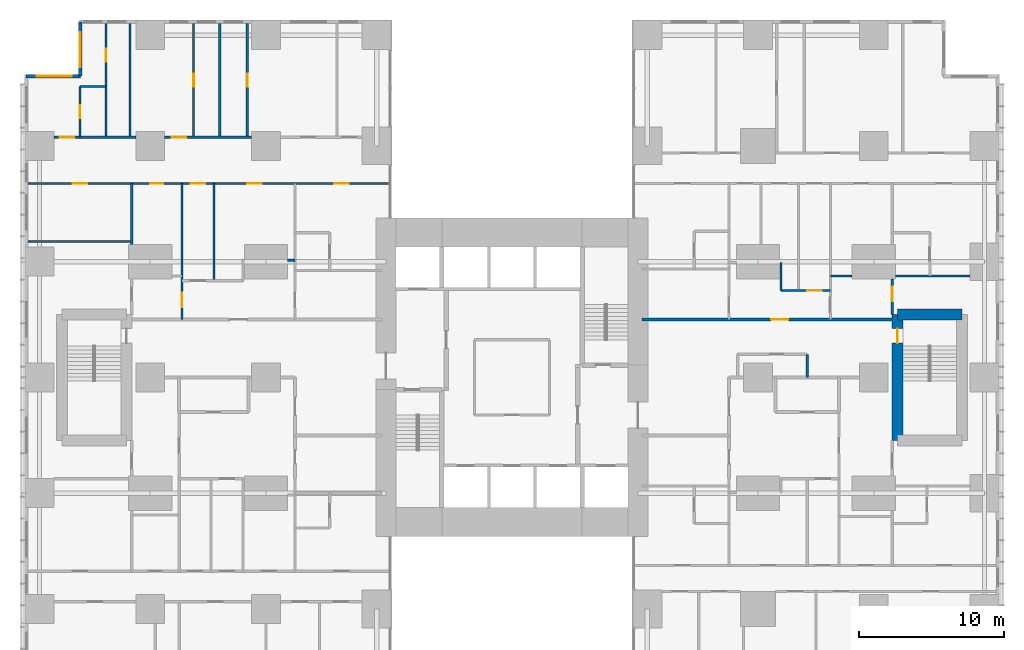
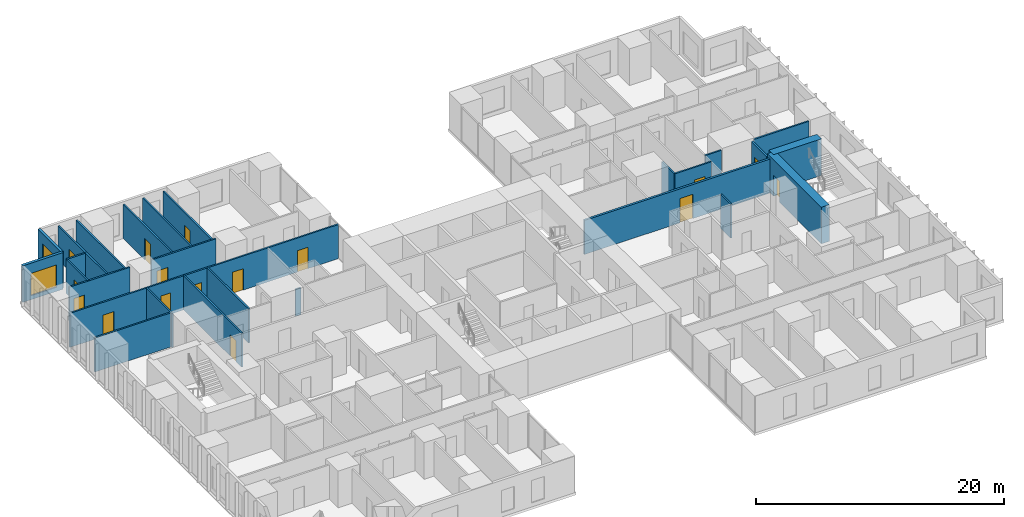
# One storey, part 16 of 20: 26 walls, 16 doors, 2 windows, 18 openings.
"""IFC4 building model written with IfcOpenShell, lengths in metres."""

from ifc_helpers import new_model, si_unit, direction, frame, frame_2d, origin, place, context, subcontext, project, spatial, rectangle, extrude, material, layer, layer_set, type_object, element, fill, save


model = new_model("IFC4")

# Units and contexts
model_context = context("Model", 3, precision=1e-05, world=origin(), true_north=direction((0.0, 1.0)))
body_context = subcontext(model_context, "Body", "Model", "MODEL_VIEW")
ifc_project = project(units=[si_unit("LENGTHUNIT", "METRE"), si_unit("AREAUNIT", "SQUARE_METRE"), si_unit("VOLUMEUNIT", "CUBIC_METRE"), si_unit("PLANEANGLEUNIT", "RADIAN"), si_unit("MASSUNIT", "GRAM", prefix="KILO")], contexts=[model_context])

# Site, building, storey
site_placement = place(None, origin())
site = spatial("IfcSite", under=ifc_project, at=site_placement, CompositionType="ELEMENT")
building_placement = place(site_placement, origin())
building = spatial("IfcBuilding", under=site, at=building_placement, Name="Cleftline Residences", CompositionType="ELEMENT")
storey_placement = place(building_placement, frame((0.0, 0.0, 121.39990234375)))
storey = spatial("IfcBuildingStorey", under=building, at=storey_placement, Name="L31", CompositionType="ELEMENT", Elevation=121.39990234375)

# Wall, opening, window
ifc_material_1 = material(Name="Rendered reinforced concrete blockwork", Category="masonry")
ifc_layer_1 = layer(ifc_material_1, 0.25)
ifc_layer_set_1 = layer_set([ifc_layer_1], Name="EXTERNAL WALL 250")
wall_type_1 = type_object("IfcWallType", Name="EXTERNAL WALL 250", PredefinedType="SOLIDWALL", material=ifc_layer_set_1)
wall_1_placement = place(storey_placement, frame((3.175048828125, 48.574951171875, 0.0), z_axis=(0.0, 0.0, 1.0), x_axis=(0.0, -1.0, 0.0)))
wall_1 = element("IfcWall", 1, at=wall_1_placement, inside=storey, type_object=wall_type_1, Name="External wall", PredefinedType="SOLIDWALL", context=body_context, shape_type="SweptSolid", body=[
    extrude(rectangle(XDim=3.75, YDim=0.25, at=frame_2d((1.875, 0.0))), origin(), (0.0, 0.0, 1.0), 3.60009765625),
])
opening_1_placement = place(wall_1_placement, frame((0.737548828125, 0.0, 0.39990234375)))
opening_1 = element("IfcOpeningElement", 2, at=opening_1_placement, cuts=wall_1, Name="Opening W12", PredefinedType="OPENING", context=body_context, shape_type="SweptSolid", body=[
    extrude(rectangle(XDim=2.39990234375, YDim=2.199951171875, at=frame_2d((1.199951171875, 1.10009765625))), frame((0.0, 0.135009765625, 0.0), z_axis=(0.0, -1.0, 0.0), x_axis=(1.0, 0.0, 0.0)), (0.0, 0.0, 1.0), 0.27001953125),
])
ifc_material_2 = material(Name="Aluminium frame, clear double glazing", Category="aluminium")
window_type = type_object("IfcWindowType", Name="WINDOW 2400X2200", PartitioningType="DOUBLE_PANEL_VERTICAL", PredefinedType="WINDOW", material=ifc_material_2)
window_1_placement = place(opening_1_placement, origin())
window_1 = element("IfcWindow", 3, at=window_1_placement, inside=storey, type_object=window_type, Name="Window", OverallHeight=2.199951171875, OverallWidth=2.39990234375, PartitioningType="SINGLE_PANEL", PredefinedType="WINDOW", context=body_context, shape_type="SweptSolid", body=[
    extrude(rectangle(XDim=2.39990234375, YDim=2.199951171875, at=frame_2d((1.199951171875, 1.10009765625))), frame((0.0, 0.030029296875, 0.0), z_axis=(0.0, -1.0, 0.0), x_axis=(1.0, 0.0, 0.0)), (0.0, 0.0, 1.0), 0.06005859375),
])
fill(opening_1, window_1)

wall_2_placement = place(storey_placement, frame((3.175048828125, 44.824951171875, 0.0), z_axis=(0.0, 0.0, 1.0), x_axis=(-1.0, 0.0, 0.0)))
wall_2 = element("IfcWall", 4, at=wall_2_placement, inside=storey, type_object=wall_type_1, Name="External wall", PredefinedType="SOLIDWALL", context=body_context, shape_type="SweptSolid", body=[
    extrude(rectangle(XDim=3.75, YDim=0.25, at=frame_2d((1.875, 0.0))), origin(), (0.0, 0.0, 1.0), 3.60009765625),
])
opening_2_placement = place(wall_2_placement, frame((0.612548828125, 0.0, 0.39990234375)))
opening_2 = element("IfcOpeningElement", 5, at=opening_2_placement, cuts=wall_2, Name="Opening W12", PredefinedType="OPENING", context=body_context, shape_type="SweptSolid", body=[
    extrude(rectangle(XDim=2.39990234375, YDim=2.199951171875, at=frame_2d((1.199951171875, 1.10009765625))), frame((0.0, 0.135009765625, 0.0), z_axis=(0.0, -1.0, 0.0), x_axis=(1.0, 0.0, 0.0)), (0.0, 0.0, 1.0), 0.27001953125),
])
window_2_placement = place(opening_2_placement, origin())
window_2 = element("IfcWindow", 6, at=window_2_placement, inside=storey, type_object=window_type, Name="Window", OverallHeight=2.199951171875, OverallWidth=2.39990234375, PartitioningType="SINGLE_PANEL", PredefinedType="WINDOW", context=body_context, shape_type="SweptSolid", body=[
    extrude(rectangle(XDim=2.39990234375, YDim=2.199951171875, at=frame_2d((1.199951171875, 1.10009765625))), frame((0.0, 0.030029296875, 0.0), z_axis=(0.0, -1.0, 0.0), x_axis=(1.0, 0.0, 0.0)), (0.0, 0.0, 1.0), 0.06005859375),
])
fill(opening_2, window_2)

# Wall, opening, door
ifc_material_3 = material(Name="Concrete blockwork, fire rated", Category="masonry")
ifc_layer_2 = layer(ifc_material_3, 0.199951171875)
ifc_layer_set_2 = layer_set([ifc_layer_2], Name="FIRE WALL 200")
wall_type_2 = type_object("IfcWallType", Name="FIRE WALL 200", PredefinedType="PARTITIONING", material=ifc_layer_set_2)
wall_3_placement = place(storey_placement, frame((42.0, 28.0, 0.0), z_axis=(0.0, 0.0, 1.0), x_axis=(1.0, 0.0, 0.0)))
wall_3 = element("IfcWall", 7, at=wall_3_placement, inside=storey, type_object=wall_type_2, Name="Fire separating wall", PredefinedType="PARTITIONING", context=body_context, shape_type="SweptSolid", body=[
    extrude(rectangle(XDim=17.27490234375, YDim=0.199951171875, at=frame_2d((8.637451171875, 0.0))), origin(), (0.0, 0.0, 1.0), 3.35009765625),
])
opening_3_placement = place(wall_3_placement, frame((8.89990234375, 0.0, 0.0)))
opening_3 = element("IfcOpeningElement", 8, at=opening_3_placement, cuts=wall_3, Name="Opening D4", PredefinedType="OPENING", context=body_context, shape_type="SweptSolid", body=[
    extrude(rectangle(XDim=1.199951171875, YDim=2.39990234375, at=frame_2d((0.60009765625, 1.199951171875))), frame((0.0, 0.10986328125, 0.0), z_axis=(0.0, -1.0, 0.0), x_axis=(1.0, 0.0, 0.0)), (0.0, 0.0, 1.0), 0.219970703125),
])
ifc_material_4 = material(Name="Timber veneer on solid core", Category="wood")
door_type_1 = type_object("IfcDoorType", Name="APARTMENT ENTRANCE DOOR 1200X2400", OperationType="SINGLE_SWING_RIGHT", PredefinedType="DOOR", material=ifc_material_4)
door_1_placement = place(opening_3_placement, origin())
door_1 = element("IfcDoor", 9, at=door_1_placement, inside=storey, type_object=door_type_1, Name="Door to residence entrance foyer", OperationType="SINGLE_SWING_LEFT", OverallHeight=2.39990234375, OverallWidth=1.199951171875, PredefinedType="DOOR", context=body_context, shape_type="SweptSolid", body=[
    extrude(rectangle(XDim=1.199951171875, YDim=2.39990234375, at=frame_2d((0.60009765625, 1.199951171875))), frame((0.0, 0.02490234375, 0.0), z_axis=(0.0, -1.0, 0.0), x_axis=(1.0, 0.0, 0.0)), (0.0, 0.0, 1.0), 0.050048828125),
])
fill(opening_3, door_1)

ifc_material_5 = material(Name="Gypsum board on steel studs", Category="steel")
ifc_layer_3 = layer(ifc_material_5, 0.14990234375)
ifc_layer_set_3 = layer_set([ifc_layer_3], Name="PARTITION 150")
wall_type_3 = type_object("IfcWallType", Name="PARTITION 150", PredefinedType="PARTITIONING", material=ifc_layer_set_3)
wall_4_placement = place(storey_placement, frame((51.60009765625, 30.0, 0.0), z_axis=(0.0, 0.0, 1.0), x_axis=(1.0, 0.0, 0.0)))
wall_4 = element("IfcWall", 10, at=wall_4_placement, inside=storey, type_object=wall_type_3, Name="Partition", PredefinedType="PARTITIONING", context=body_context, shape_type="SweptSolid", body=[
    extrude(rectangle(XDim=3.39990234375, YDim=0.14990234375, at=frame_2d((1.699951171875, 0.0))), origin(), (0.0, 0.0, 1.0), 3.35009765625),
])
opening_4_placement = place(wall_4_placement, frame((1.800048828125, 0.0, 0.0)))
opening_4 = element("IfcOpeningElement", 11, at=opening_4_placement, cuts=wall_4, Name="Opening D2", PredefinedType="OPENING", context=body_context, shape_type="SweptSolid", body=[
    extrude(rectangle(XDim=1.0, YDim=2.10009765625, at=frame_2d((0.5, 1.050048828125))), frame((0.0, 0.0849609375, 0.0), z_axis=(0.0, -1.0, 0.0), x_axis=(1.0, 0.0, 0.0)), (0.0, 0.0, 1.0), 0.169921875),
])
ifc_material_6 = material(Name="Timber veneer on solid core", Category="wood")
door_type_2 = type_object("IfcDoorType", Name="DOOR 1000X2100", OperationType="SINGLE_SWING_LEFT", PredefinedType="DOOR", material=ifc_material_6)
door_2_placement = place(opening_4_placement, origin())
door_2 = element("IfcDoor", 12, at=door_2_placement, inside=storey, type_object=door_type_2, Name="Door to residence passage", OperationType="SINGLE_SWING_LEFT", OverallHeight=2.10009765625, OverallWidth=1.0, PredefinedType="DOOR", context=body_context, shape_type="SweptSolid", body=[
    extrude(rectangle(XDim=1.0, YDim=2.10009765625, at=frame_2d((0.5, 1.050048828125))), frame((0.0, 0.02490234375, 0.0), z_axis=(0.0, -1.0, 0.0), x_axis=(1.0, 0.0, 0.0)), (0.0, 0.0, 1.0), 0.050048828125),
])
fill(opening_4, door_2)

# Walls
wall_5_placement = place(storey_placement, frame((55.0, 31.0, 0.0), z_axis=(0.0, 0.0, 1.0), x_axis=(1.0, 0.0, 0.0)))
element("IfcWall", 13, at=wall_5_placement, inside=storey, type_object=wall_type_3, Name="Partition", PredefinedType="PARTITIONING", context=body_context, shape_type="SweptSolid", body=[
    extrude(rectangle(XDim=1.5, YDim=0.14990234375, at=frame_2d((0.75, 0.0))), origin(), (0.0, 0.0, 1.0), 3.35009765625),
])
wall_6_placement = place(storey_placement, frame((59.5, 31.0, 0.0), z_axis=(0.0, 0.0, 1.0), x_axis=(1.0, 0.0, 0.0)))
element("IfcWall", 14, at=wall_6_placement, inside=storey, type_object=wall_type_3, Name="Partition", PredefinedType="PARTITIONING", context=body_context, shape_type="SweptSolid", body=[
    extrude(rectangle(XDim=5.14990234375, YDim=0.14990234375, at=frame_2d((2.574951171875, 0.0))), origin(), (0.0, 0.0, 1.0), 3.35009765625),
])
wall_7_placement = place(storey_placement, frame((17.5, 32.10009765625, 0.0), z_axis=(0.0, 0.0, 1.0), x_axis=(1.0, 0.0, 0.0)))
element("IfcWall", 15, at=wall_7_placement, inside=storey, type_object=wall_type_3, Name="Partition", PredefinedType="PARTITIONING", context=body_context, shape_type="SweptSolid", body=[
    extrude(rectangle(XDim=0.5, YDim=0.14990234375, at=frame_2d((0.25, 0.0))), origin(), (0.0, 0.0, 1.0), 2.634033203125),
])
wall_8_placement = place(storey_placement, frame((-0.449951171875, 33.39990234375, 0.0), z_axis=(0.0, 0.0, 1.0), x_axis=(1.0, 0.0, 0.0)))
element("IfcWall", 16, at=wall_8_placement, inside=storey, type_object=wall_type_3, Name="Partition", PredefinedType="PARTITIONING", context=body_context, shape_type="SweptSolid", body=[
    extrude(rectangle(XDim=7.175048828125, YDim=0.14990234375, at=frame_2d((3.58740234375, 0.0))), origin(), (0.0, 0.0, 1.0), 3.35009765625),
])

# Wall, openings, doors
wall_9_placement = place(storey_placement, frame((-0.449951171875, 37.39990234375, 0.0), z_axis=(0.0, 0.0, 1.0), x_axis=(1.0, 0.0, 0.0)))
wall_9 = element("IfcWall", 17, at=wall_9_placement, inside=storey, type_object=wall_type_3, Name="Partition", PredefinedType="PARTITIONING", context=body_context, shape_type="SweptSolid", body=[
    extrude(rectangle(XDim=25.010986328125, YDim=0.14990234375, at=frame_2d((12.50537109375, 0.0))), origin(), (0.0, 0.0, 1.0), 3.35009765625),
])
opening_5_placement = place(wall_9_placement, frame((11.25, 0.0, 0.0)))
opening_5 = element("IfcOpeningElement", 18, at=opening_5_placement, cuts=wall_9, Name="Opening D2", PredefinedType="OPENING", context=body_context, shape_type="SweptSolid", body=[
    extrude(rectangle(XDim=1.0, YDim=2.10009765625, at=frame_2d((0.5, 1.050048828125))), frame((0.0, 0.0849609375, 0.0), z_axis=(0.0, -1.0, 0.0), x_axis=(1.0, 0.0, 0.0)), (0.0, 0.0, 1.0), 0.169921875),
])
opening_6_placement = place(wall_9_placement, frame((3.08740234375, 0.0, 0.0)))
opening_6 = element("IfcOpeningElement", 19, at=opening_6_placement, cuts=wall_9, Name="Opening D2", PredefinedType="OPENING", context=body_context, shape_type="SweptSolid", body=[
    extrude(rectangle(XDim=1.0, YDim=2.10009765625, at=frame_2d((0.5, 1.050048828125))), frame((0.0, 0.0849609375, 0.0), z_axis=(0.0, -1.0, 0.0), x_axis=(1.0, 0.0, 0.0)), (0.0, 0.0, 1.0), 0.169921875),
])
opening_7_placement = place(wall_9_placement, frame((8.46240234375, 0.0, 0.0)))
opening_7 = element("IfcOpeningElement", 20, at=opening_7_placement, cuts=wall_9, Name="Opening D1", PredefinedType="OPENING", context=body_context, shape_type="SweptSolid", body=[
    extrude(rectangle(XDim=0.89990234375, YDim=2.10009765625, at=frame_2d((0.449951171875, 1.050048828125))), frame((0.0, 0.0849609375, 0.0), z_axis=(0.0, -1.0, 0.0), x_axis=(1.0, 0.0, 0.0)), (0.0, 0.0, 1.0), 0.169921875),
])
opening_8_placement = place(wall_9_placement, frame((15.14990234375, 0.0, 0.0)))
opening_8 = element("IfcOpeningElement", 21, at=opening_8_placement, cuts=wall_9, Name="Opening D2", PredefinedType="OPENING", context=body_context, shape_type="SweptSolid", body=[
    extrude(rectangle(XDim=1.0, YDim=2.10009765625, at=frame_2d((0.5, 1.050048828125))), frame((0.0, 0.0849609375, 0.0), z_axis=(0.0, -1.0, 0.0), x_axis=(1.0, 0.0, 0.0)), (0.0, 0.0, 1.0), 0.169921875),
])
opening_9_placement = place(wall_9_placement, frame((21.175048828125, 0.0, 0.0)))
opening_9 = element("IfcOpeningElement", 22, at=opening_9_placement, cuts=wall_9, Name="Opening D2", PredefinedType="OPENING", context=body_context, shape_type="SweptSolid", body=[
    extrude(rectangle(XDim=1.0, YDim=2.10009765625, at=frame_2d((0.5, 1.050048828125))), frame((0.0, 0.0849609375, 0.0), z_axis=(0.0, -1.0, 0.0), x_axis=(1.0, 0.0, 0.0)), (0.0, 0.0, 1.0), 0.169921875),
])
door_3_placement = place(opening_5_placement, origin())
door_3 = element("IfcDoor", 23, at=door_3_placement, inside=storey, type_object=door_type_2, Name="Door to residence hall", OperationType="SINGLE_SWING_RIGHT", OverallHeight=2.10009765625, OverallWidth=1.0, PredefinedType="DOOR", context=body_context, shape_type="SweptSolid", body=[
    extrude(rectangle(XDim=1.0, YDim=2.10009765625, at=frame_2d((0.5, 1.050048828125))), frame((0.0, 0.02490234375, 0.0), z_axis=(0.0, -1.0, 0.0), x_axis=(1.0, 0.0, 0.0)), (0.0, 0.0, 1.0), 0.050048828125),
])
fill(opening_5, door_3)
door_4_placement = place(opening_6_placement, origin())
door_4 = element("IfcDoor", 24, at=door_4_placement, inside=storey, type_object=door_type_2, Name="Door to study", OperationType="SINGLE_SWING_RIGHT", OverallHeight=2.10009765625, OverallWidth=1.0, PredefinedType="DOOR", context=body_context, shape_type="SweptSolid", body=[
    extrude(rectangle(XDim=1.0, YDim=2.10009765625, at=frame_2d((0.5, 1.050048828125))), frame((0.0, 0.02490234375, 0.0), z_axis=(0.0, -1.0, 0.0), x_axis=(1.0, 0.0, 0.0)), (0.0, 0.0, 1.0), 0.050048828125),
])
fill(opening_6, door_4)
door_5_placement = place(opening_8_placement, origin())
door_5 = element("IfcDoor", 25, at=door_5_placement, inside=storey, type_object=door_type_2, Name="Door to media room", OperationType="SINGLE_SWING_LEFT", OverallHeight=2.10009765625, OverallWidth=1.0, PredefinedType="DOOR", context=body_context, shape_type="SweptSolid", body=[
    extrude(rectangle(XDim=1.0, YDim=2.10009765625, at=frame_2d((0.5, 1.050048828125))), frame((0.0, 0.02490234375, 0.0), z_axis=(0.0, -1.0, 0.0), x_axis=(1.0, 0.0, 0.0)), (0.0, 0.0, 1.0), 0.050048828125),
])
fill(opening_8, door_5)
door_6_placement = place(opening_9_placement, origin())
door_6 = element("IfcDoor", 26, at=door_6_placement, inside=storey, type_object=door_type_2, Name="Door to bedroom 4", OperationType="SINGLE_SWING_LEFT", OverallHeight=2.10009765625, OverallWidth=1.0, PredefinedType="DOOR", context=body_context, shape_type="SweptSolid", body=[
    extrude(rectangle(XDim=1.0, YDim=2.10009765625, at=frame_2d((0.5, 1.050048828125))), frame((0.0, 0.02490234375, 0.0), z_axis=(0.0, -1.0, 0.0), x_axis=(1.0, 0.0, 0.0)), (0.0, 0.0, 1.0), 0.050048828125),
])
fill(opening_9, door_6)
ifc_material_7 = material(Name="Timber veneer on solid core", Category="wood")
door_type_3 = type_object("IfcDoorType", Name="DOOR 900X2100", OperationType="SINGLE_SWING_LEFT", PredefinedType="DOOR", material=ifc_material_7)
door_7_placement = place(opening_7_placement, origin())
door_7 = element("IfcDoor", 27, at=door_7_placement, inside=storey, type_object=door_type_3, Name="Door to guest bathroom", OperationType="SINGLE_SWING_RIGHT", OverallHeight=2.10009765625, OverallWidth=0.89990234375, PredefinedType="DOOR", context=body_context, shape_type="SweptSolid", body=[
    extrude(rectangle(XDim=0.89990234375, YDim=2.10009765625, at=frame_2d((0.449951171875, 1.050048828125))), frame((0.0, 0.02490234375, 0.0), z_axis=(0.0, -1.0, 0.0), x_axis=(1.0, 0.0, 0.0)), (0.0, 0.0, 1.0), 0.050048828125),
])
fill(opening_7, door_7)

# Wall, opening, door
wall_10_placement = place(storey_placement, frame((1.35009765625, 40.60009765625, 0.0), z_axis=(0.0, 0.0, 1.0), x_axis=(1.0, 0.0, 0.0)))
wall_10 = element("IfcWall", 28, at=wall_10_placement, inside=storey, type_object=wall_type_3, Name="Partition", PredefinedType="PARTITIONING", context=body_context, shape_type="SweptSolid", body=[
    extrude(rectangle(XDim=5.64990234375, YDim=0.14990234375, at=frame_2d((2.824951171875, 0.0))), origin(), (0.0, 0.0, 1.0), 3.35009765625),
])
opening_10_placement = place(wall_10_placement, frame((0.39990234375, 0.0, 0.0)))
opening_10 = element("IfcOpeningElement", 29, at=opening_10_placement, cuts=wall_10, Name="Opening D2", PredefinedType="OPENING", context=body_context, shape_type="SweptSolid", body=[
    extrude(rectangle(XDim=1.0, YDim=2.10009765625, at=frame_2d((0.5, 1.050048828125))), frame((0.0, 0.0849609375, 0.0), z_axis=(0.0, -1.0, 0.0), x_axis=(1.0, 0.0, 0.0)), (0.0, 0.0, 1.0), 0.169921875),
])
door_8_placement = place(opening_10_placement, origin())
door_8 = element("IfcDoor", 30, at=door_8_placement, inside=storey, type_object=door_type_2, Name="Door to bedroom 2", OperationType="SINGLE_SWING_RIGHT", OverallHeight=2.10009765625, OverallWidth=1.0, PredefinedType="DOOR", context=body_context, shape_type="SweptSolid", body=[
    extrude(rectangle(XDim=1.0, YDim=2.10009765625, at=frame_2d((0.5, 1.050048828125))), frame((0.0, 0.02490234375, 0.0), z_axis=(0.0, -1.0, 0.0), x_axis=(1.0, 0.0, 0.0)), (0.0, 0.0, 1.0), 0.050048828125),
])
fill(opening_10, door_8)

wall_11_placement = place(storey_placement, frame((9.0, 40.60009765625, 0.0), z_axis=(0.0, 0.0, 1.0), x_axis=(1.0, 0.0, 0.0)))
wall_11 = element("IfcWall", 31, at=wall_11_placement, inside=storey, type_object=wall_type_3, Name="Partition", PredefinedType="PARTITIONING", context=body_context, shape_type="SweptSolid", body=[
    extrude(rectangle(XDim=6.0, YDim=0.14990234375, at=frame_2d((3.0, 0.0))), origin(), (0.0, 0.0, 1.0), 3.35009765625),
])
opening_11_placement = place(wall_11_placement, frame((0.5, 0.0, 0.0)))
opening_11 = element("IfcOpeningElement", 32, at=opening_11_placement, cuts=wall_11, Name="Opening D2", PredefinedType="OPENING", context=body_context, shape_type="SweptSolid", body=[
    extrude(rectangle(XDim=1.0, YDim=2.10009765625, at=frame_2d((0.5, 1.050048828125))), frame((0.0, 0.0849609375, 0.0), z_axis=(0.0, -1.0, 0.0), x_axis=(1.0, 0.0, 0.0)), (0.0, 0.0, 1.0), 0.169921875),
])
door_9_placement = place(opening_11_placement, origin())
door_9 = element("IfcDoor", 33, at=door_9_placement, inside=storey, type_object=door_type_2, Name="Door to bedroom 3", OperationType="SINGLE_SWING_RIGHT", OverallHeight=2.10009765625, OverallWidth=1.0, PredefinedType="DOOR", context=body_context, shape_type="SweptSolid", body=[
    extrude(rectangle(XDim=1.0, YDim=2.10009765625, at=frame_2d((0.5, 1.050048828125))), frame((0.0, 0.02490234375, 0.0), z_axis=(0.0, -1.0, 0.0), x_axis=(1.0, 0.0, 0.0)), (0.0, 0.0, 1.0), 0.050048828125),
])
fill(opening_11, door_9)

# Wall
wall_12_placement = place(storey_placement, frame((3.14990234375, 44.10009765625, 0.0), z_axis=(0.0, 0.0, 1.0), x_axis=(1.0, 0.0, 0.0)))
element("IfcWall", 34, at=wall_12_placement, inside=storey, type_object=wall_type_3, Name="Partition", PredefinedType="PARTITIONING", context=body_context, shape_type="SweptSolid", body=[
    extrude(rectangle(XDim=1.800048828125, YDim=0.14990234375, at=frame_2d((0.89990234375, 0.0))), origin(), (0.0, 0.0, 1.0), 3.35009765625),
])

# Wall, opening, door
wall_13_placement = place(storey_placement, frame((3.14990234375, 40.60009765625, 0.0), z_axis=(0.0, 0.0, 1.0), x_axis=(0.0, 1.0, 0.0)))
wall_13 = element("IfcWall", 35, at=wall_13_placement, inside=storey, type_object=wall_type_3, Name="Partition", PredefinedType="PARTITIONING", context=body_context, shape_type="SweptSolid", body=[
    extrude(rectangle(XDim=3.5, YDim=0.14990234375, at=frame_2d((1.75, 0.0))), origin(), (0.0, 0.0, 1.0), 3.35009765625),
])
opening_12_placement = place(wall_13_placement, frame((1.300048828125, 0.0, 0.0)))
opening_12 = element("IfcOpeningElement", 36, at=opening_12_placement, cuts=wall_13, Name="Opening D1", PredefinedType="OPENING", context=body_context, shape_type="SweptSolid", body=[
    extrude(rectangle(XDim=0.89990234375, YDim=2.10009765625, at=frame_2d((0.449951171875, 1.050048828125))), frame((0.0, 0.0849609375, 0.0), z_axis=(0.0, -1.0, 0.0), x_axis=(1.0, 0.0, 0.0)), (0.0, 0.0, 1.0), 0.169921875),
])
door_10_placement = place(opening_12_placement, origin())
door_10 = element("IfcDoor", 37, at=door_10_placement, inside=storey, type_object=door_type_3, Name="Door to en-suite bathroom 2", OperationType="SINGLE_SWING_LEFT", OverallHeight=2.10009765625, OverallWidth=0.89990234375, PredefinedType="DOOR", context=body_context, shape_type="SweptSolid", body=[
    extrude(rectangle(XDim=0.89990234375, YDim=2.10009765625, at=frame_2d((0.449951171875, 1.050048828125))), frame((0.0, 0.02490234375, 0.0), z_axis=(0.0, -1.0, 0.0), x_axis=(1.0, 0.0, 0.0)), (0.0, 0.0, 1.0), 0.050048828125),
])
fill(opening_12, door_10)

wall_14_placement = place(storey_placement, frame((4.949951171875, 40.60009765625, 0.0), z_axis=(0.0, 0.0, 1.0), x_axis=(0.0, 1.0, 0.0)))
wall_14 = element("IfcWall", 38, at=wall_14_placement, inside=storey, type_object=wall_type_3, Name="Partition", PredefinedType="PARTITIONING", context=body_context, shape_type="SweptSolid", body=[
    extrude(rectangle(XDim=7.849853515625, YDim=0.14990234375, at=frame_2d((3.9248046875, 0.0))), origin(), (0.0, 0.0, 1.0), 3.35009765625),
])
opening_13_placement = place(wall_14_placement, frame((5.22509765625, 0.0, 0.0)))
opening_13 = element("IfcOpeningElement", 39, at=opening_13_placement, cuts=wall_14, Name="Opening D1", PredefinedType="OPENING", context=body_context, shape_type="SweptSolid", body=[
    extrude(rectangle(XDim=0.89990234375, YDim=2.10009765625, at=frame_2d((0.449951171875, 1.050048828125))), frame((0.0, 0.0849609375, 0.0), z_axis=(0.0, -1.0, 0.0), x_axis=(1.0, 0.0, 0.0)), (0.0, 0.0, 1.0), 0.169921875),
])
door_11_placement = place(opening_13_placement, origin())
door_11 = element("IfcDoor", 40, at=door_11_placement, inside=storey, type_object=door_type_3, Name="Door to walk-in wardrobe", OperationType="SINGLE_SWING_LEFT", OverallHeight=2.10009765625, OverallWidth=0.89990234375, PredefinedType="DOOR", context=body_context, shape_type="SweptSolid", body=[
    extrude(rectangle(XDim=0.89990234375, YDim=2.10009765625, at=frame_2d((0.449951171875, 1.050048828125))), frame((0.0, 0.02490234375, 0.0), z_axis=(0.0, -1.0, 0.0), x_axis=(1.0, 0.0, 0.0)), (0.0, 0.0, 1.0), 0.050048828125),
])
fill(opening_13, door_11)

# Walls
wall_15_placement = place(storey_placement, frame((6.60009765625, 40.60009765625, 0.0), z_axis=(0.0, 0.0, 1.0), x_axis=(0.0, 1.0, 0.0)))
element("IfcWall", 41, at=wall_15_placement, inside=storey, type_object=wall_type_3, Name="Partition", PredefinedType="PARTITIONING", context=body_context, shape_type="SweptSolid", body=[
    extrude(rectangle(XDim=7.849853515625, YDim=0.14990234375, at=frame_2d((3.9248046875, 0.0))), origin(), (0.0, 0.0, 1.0), 3.35009765625),
])
wall_16_placement = place(storey_placement, frame((6.72509765625, 33.199951171875, 0.0), z_axis=(0.0, 0.0, 1.0), x_axis=(0.0, 1.0, 0.0)))
element("IfcWall", 42, at=wall_16_placement, inside=storey, type_object=wall_type_3, Name="Partition", PredefinedType="PARTITIONING", context=body_context, shape_type="SweptSolid", body=[
    extrude(rectangle(XDim=4.199951171875, YDim=0.14990234375, at=frame_2d((2.10009765625, 0.0))), origin(), (0.0, 0.0, 1.0), 3.35009765625),
])

# Wall, opening, door
wall_17_placement = place(storey_placement, frame((10.199951171875, 28.0, 0.0), z_axis=(0.0, 0.0, 1.0), x_axis=(0.0, 1.0, 0.0)))
wall_17 = element("IfcWall", 43, at=wall_17_placement, inside=storey, type_object=wall_type_3, Name="Partition", PredefinedType="PARTITIONING", context=body_context, shape_type="SweptSolid", body=[
    extrude(rectangle(XDim=9.39990234375, YDim=0.14990234375, at=frame_2d((4.699951171875, 0.0))), origin(), (0.0, 0.0, 1.0), 3.35009765625),
])
opening_14_placement = place(wall_17_placement, frame((0.83740234375, 0.0, 0.0)))
opening_14 = element("IfcOpeningElement", 44, at=opening_14_placement, cuts=wall_17, Name="Opening D2F30", PredefinedType="OPENING", context=body_context, shape_type="SweptSolid", body=[
    extrude(rectangle(XDim=1.0, YDim=2.10009765625, at=frame_2d((0.5, 1.050048828125))), frame((0.0, 0.0849609375, 0.0), z_axis=(0.0, -1.0, 0.0), x_axis=(1.0, 0.0, 0.0)), (0.0, 0.0, 1.0), 0.169921875),
])
ifc_material_8 = material(Name="Timber veneer on solid core", Category="wood")
door_type_4 = type_object("IfcDoorType", Name="DOOR 1000X2100 EI 30", OperationType="SINGLE_SWING_LEFT", PredefinedType="DOOR", material=ifc_material_8)
door_12_placement = place(opening_14_placement, origin())
door_12 = element("IfcDoor", 45, at=door_12_placement, inside=storey, type_object=door_type_4, Name="Door to residence lobby (service)", OperationType="SINGLE_SWING_RIGHT", OverallHeight=2.10009765625, OverallWidth=1.0, PredefinedType="DOOR", context=body_context, shape_type="SweptSolid", body=[
    extrude(rectangle(XDim=1.0, YDim=2.10009765625, at=frame_2d((0.5, 1.050048828125))), frame((0.0, 0.02490234375, 0.0), z_axis=(0.0, -1.0, 0.0), x_axis=(1.0, 0.0, 0.0)), (0.0, 0.0, 1.0), 0.050048828125),
])
fill(opening_14, door_12)

wall_18_placement = place(storey_placement, frame((11.0, 40.60009765625, 0.0), z_axis=(0.0, 0.0, 1.0), x_axis=(0.0, 1.0, 0.0)))
wall_18 = element("IfcWall", 46, at=wall_18_placement, inside=storey, type_object=wall_type_3, Name="Partition", PredefinedType="PARTITIONING", context=body_context, shape_type="SweptSolid", body=[
    extrude(rectangle(XDim=7.849853515625, YDim=0.14990234375, at=frame_2d((3.9248046875, 0.0))), origin(), (0.0, 0.0, 1.0), 3.35009765625),
])
opening_15_placement = place(wall_18_placement, frame((3.47509765625, 0.0, 0.0)))
opening_15 = element("IfcOpeningElement", 47, at=opening_15_placement, cuts=wall_18, Name="Opening D1", PredefinedType="OPENING", context=body_context, shape_type="SweptSolid", body=[
    extrude(rectangle(XDim=0.89990234375, YDim=2.10009765625, at=frame_2d((0.449951171875, 1.050048828125))), frame((0.0, 0.0849609375, 0.0), z_axis=(0.0, -1.0, 0.0), x_axis=(1.0, 0.0, 0.0)), (0.0, 0.0, 1.0), 0.169921875),
])
door_13_placement = place(opening_15_placement, origin())
door_13 = element("IfcDoor", 48, at=door_13_placement, inside=storey, type_object=door_type_3, Name="Door to en-suite bathroom 3", OperationType="SINGLE_SWING_LEFT", OverallHeight=2.10009765625, OverallWidth=0.89990234375, PredefinedType="DOOR", context=body_context, shape_type="SweptSolid", body=[
    extrude(rectangle(XDim=0.89990234375, YDim=2.10009765625, at=frame_2d((0.449951171875, 1.050048828125))), frame((0.0, 0.02490234375, 0.0), z_axis=(0.0, -1.0, 0.0), x_axis=(1.0, 0.0, 0.0)), (0.0, 0.0, 1.0), 0.050048828125),
])
fill(opening_15, door_13)

# Walls
wall_19_placement = place(storey_placement, frame((12.39990234375, 30.675048828125, 0.0), z_axis=(0.0, 0.0, 1.0), x_axis=(0.0, 1.0, 0.0)))
element("IfcWall", 49, at=wall_19_placement, inside=storey, type_object=wall_type_3, Name="Partition", PredefinedType="PARTITIONING", context=body_context, shape_type="SweptSolid", body=[
    extrude(rectangle(XDim=6.724853515625, YDim=0.14990234375, at=frame_2d((3.3623046875, 0.0))), origin(), (0.0, 0.0, 1.0), 3.35009765625),
])
wall_20_placement = place(storey_placement, frame((12.800048828125, 40.60009765625, 0.0), z_axis=(0.0, 0.0, 1.0), x_axis=(0.0, 1.0, 0.0)))
element("IfcWall", 50, at=wall_20_placement, inside=storey, type_object=wall_type_3, Name="Partition", PredefinedType="PARTITIONING", context=body_context, shape_type="SweptSolid", body=[
    extrude(rectangle(XDim=7.849853515625, YDim=0.14990234375, at=frame_2d((3.9248046875, 0.0))), origin(), (0.0, 0.0, 1.0), 3.35009765625),
])

# Wall, opening, door
wall_21_placement = place(storey_placement, frame((14.699951171875, 40.60009765625, 0.0), z_axis=(0.0, 0.0, 1.0), x_axis=(0.0, 1.0, 0.0)))
wall_21 = element("IfcWall", 51, at=wall_21_placement, inside=storey, type_object=wall_type_3, Name="Partition", PredefinedType="PARTITIONING", context=body_context, shape_type="SweptSolid", body=[
    extrude(rectangle(XDim=7.849853515625, YDim=0.14990234375, at=frame_2d((3.9248046875, 0.0))), origin(), (0.0, 0.0, 1.0), 3.35009765625),
])
opening_16_placement = place(wall_21_placement, frame((3.47509765625, 0.0, 0.0)))
opening_16 = element("IfcOpeningElement", 52, at=opening_16_placement, cuts=wall_21, Name="Opening D1", PredefinedType="OPENING", context=body_context, shape_type="SweptSolid", body=[
    extrude(rectangle(XDim=0.89990234375, YDim=2.10009765625, at=frame_2d((0.449951171875, 1.050048828125))), frame((0.0, 0.0849609375, 0.0), z_axis=(0.0, -1.0, 0.0), x_axis=(1.0, 0.0, 0.0)), (0.0, 0.0, 1.0), 0.169921875),
])
door_14_placement = place(opening_16_placement, origin())
door_14 = element("IfcDoor", 53, at=door_14_placement, inside=storey, type_object=door_type_3, Name="Door to master bathroom", OperationType="SINGLE_SWING_LEFT", OverallHeight=2.10009765625, OverallWidth=0.89990234375, PredefinedType="DOOR", context=body_context, shape_type="SweptSolid", body=[
    extrude(rectangle(XDim=0.89990234375, YDim=2.10009765625, at=frame_2d((0.449951171875, 1.050048828125))), frame((0.0, 0.02490234375, 0.0), z_axis=(0.0, -1.0, 0.0), x_axis=(1.0, 0.0, 0.0)), (0.0, 0.0, 1.0), 0.050048828125),
])
fill(opening_16, door_14)

# Walls
wall_22_placement = place(storey_placement, frame((51.60009765625, 30.0, 0.0), z_axis=(0.0, 0.0, 1.0), x_axis=(0.0, 1.0, 0.0)))
element("IfcWall", 54, at=wall_22_placement, inside=storey, type_object=wall_type_3, Name="Partition", PredefinedType="PARTITIONING", context=body_context, shape_type="SweptSolid", body=[
    extrude(rectangle(XDim=1.949951171875, YDim=0.14990234375, at=frame_2d((0.97509765625, 0.0))), origin(), (0.0, 0.0, 1.0), 3.35009765625),
])
wall_23_placement = place(storey_placement, frame((53.39990234375, 24.0, 0.0), z_axis=(0.0, 0.0, 1.0), x_axis=(0.0, 1.0, 0.0)))
element("IfcWall", 55, at=wall_23_placement, inside=storey, type_object=wall_type_3, Name="Partition", PredefinedType="PARTITIONING", context=body_context, shape_type="SweptSolid", body=[
    extrude(rectangle(XDim=1.60009765625, YDim=0.14990234375, at=frame_2d((0.800048828125, 0.0))), origin(), (0.0, 0.0, 1.0), 3.35009765625),
])

# Wall, opening, door
wall_24_placement = place(storey_placement, frame((59.27490234375, 28.35009765625, 0.0), z_axis=(0.0, 0.0, 1.0), x_axis=(0.0, 1.0, 0.0)))
wall_24 = element("IfcWall", 56, at=wall_24_placement, inside=storey, type_object=wall_type_3, Name="Partition", PredefinedType="PARTITIONING", context=body_context, shape_type="SweptSolid", body=[
    extrude(rectangle(XDim=2.449951171875, YDim=0.14990234375, at=frame_2d((1.22509765625, 0.0))), origin(), (0.0, 0.0, 1.0), 3.35009765625),
])
opening_17_placement = place(wall_24_placement, frame((0.91259765625, 0.0, 0.0)))
opening_17 = element("IfcOpeningElement", 57, at=opening_17_placement, cuts=wall_24, Name="Opening D2", PredefinedType="OPENING", context=body_context, shape_type="SweptSolid", body=[
    extrude(rectangle(XDim=1.0, YDim=2.10009765625, at=frame_2d((0.5, 1.050048828125))), frame((0.0, 0.0849609375, 0.0), z_axis=(0.0, -1.0, 0.0), x_axis=(1.0, 0.0, 0.0)), (0.0, 0.0, 1.0), 0.169921875),
])
door_15_placement = place(opening_17_placement, origin())
door_15 = element("IfcDoor", 58, at=door_15_placement, inside=storey, type_object=door_type_2, Name="Door to altar room", OperationType="SINGLE_SWING_LEFT", OverallHeight=2.10009765625, OverallWidth=1.0, PredefinedType="DOOR", context=body_context, shape_type="SweptSolid", body=[
    extrude(rectangle(XDim=1.0, YDim=2.10009765625, at=frame_2d((0.5, 1.050048828125))), frame((0.0, 0.02490234375, 0.0), z_axis=(0.0, -1.0, 0.0), x_axis=(1.0, 0.0, 0.0)), (0.0, 0.0, 1.0), 0.050048828125),
])
fill(opening_17, door_15)

# Wall
ifc_material_9 = material(Name="Concrete B70", Category="concrete")
ifc_layer_4 = layer(ifc_material_9, 0.75)
ifc_layer_set_4 = layer_set([ifc_layer_4], Name="SHEAR WALL 750")
wall_type_4 = type_object("IfcWallType", Name="SHEAR WALL 750", PredefinedType="SHEAR", material=ifc_layer_set_4)
wall_25_placement = place(storey_placement, frame((64.10009765625, 28.35009765625, 0.0), z_axis=(0.0, 0.0, 1.0), x_axis=(-1.0, 0.0, 0.0)))
element("IfcWall", 59, at=wall_25_placement, inside=storey, type_object=wall_type_4, Name="Wing shear wall", PredefinedType="SHEAR", context=body_context, shape_type="SweptSolid", body=[
    extrude(rectangle(XDim=4.4501953125, YDim=0.75, at=frame_2d((2.22509765625, 0.0))), origin(), (0.0, 0.0, 1.0), 3.60009765625),
])

# Wall, opening, door
wall_26_placement = place(storey_placement, frame((59.64990234375, 28.35009765625, 0.0), z_axis=(0.0, 0.0, 1.0), x_axis=(0.0, -1.0, 0.0)))
wall_26 = element("IfcWall", 60, at=wall_26_placement, inside=storey, type_object=wall_type_4, Name="Wing shear wall", PredefinedType="SHEAR", context=body_context, shape_type="SweptSolid", body=[
    extrude(rectangle(XDim=8.7001953125, YDim=0.75, at=frame_2d((4.35009765625, 0.0))), origin(), (0.0, 0.0, 1.0), 3.60009765625),
])
opening_18_placement = place(wall_26_placement, frame((0.97509765625, 0.0, 0.0)))
opening_18 = element("IfcOpeningElement", 61, at=opening_18_placement, cuts=wall_26, Name="Opening D5", PredefinedType="OPENING", context=body_context, shape_type="SweptSolid", body=[
    extrude(rectangle(XDim=1.0, YDim=2.10009765625, at=frame_2d((0.5, 1.050048828125))), frame((0.0, 0.385009765625, 0.0), z_axis=(0.0, -1.0, 0.0), x_axis=(1.0, 0.0, 0.0)), (0.0, 0.0, 1.0), 0.77001953125),
])
ifc_material_10 = material(Name="Steel", Category="steel")
door_type_5 = type_object("IfcDoorType", Name="STAIR DOOR 1000X2100", OperationType="SINGLE_SWING_LEFT", PredefinedType="DOOR", material=ifc_material_10)
door_16_placement = place(opening_18_placement, origin())
door_16 = element("IfcDoor", 62, at=door_16_placement, inside=storey, type_object=door_type_5, Name="Stair E door", OperationType="SINGLE_SWING_RIGHT", OverallHeight=2.10009765625, OverallWidth=1.0, PredefinedType="DOOR", context=body_context, shape_type="SweptSolid", body=[
    extrude(rectangle(XDim=1.0, YDim=2.10009765625, at=frame_2d((0.5, 1.050048828125))), frame((0.0, 0.02490234375, 0.0), z_axis=(0.0, -1.0, 0.0), x_axis=(1.0, 0.0, 0.0)), (0.0, 0.0, 1.0), 0.050048828125),
])
fill(opening_18, door_16)

save(model, "model.ifc")
